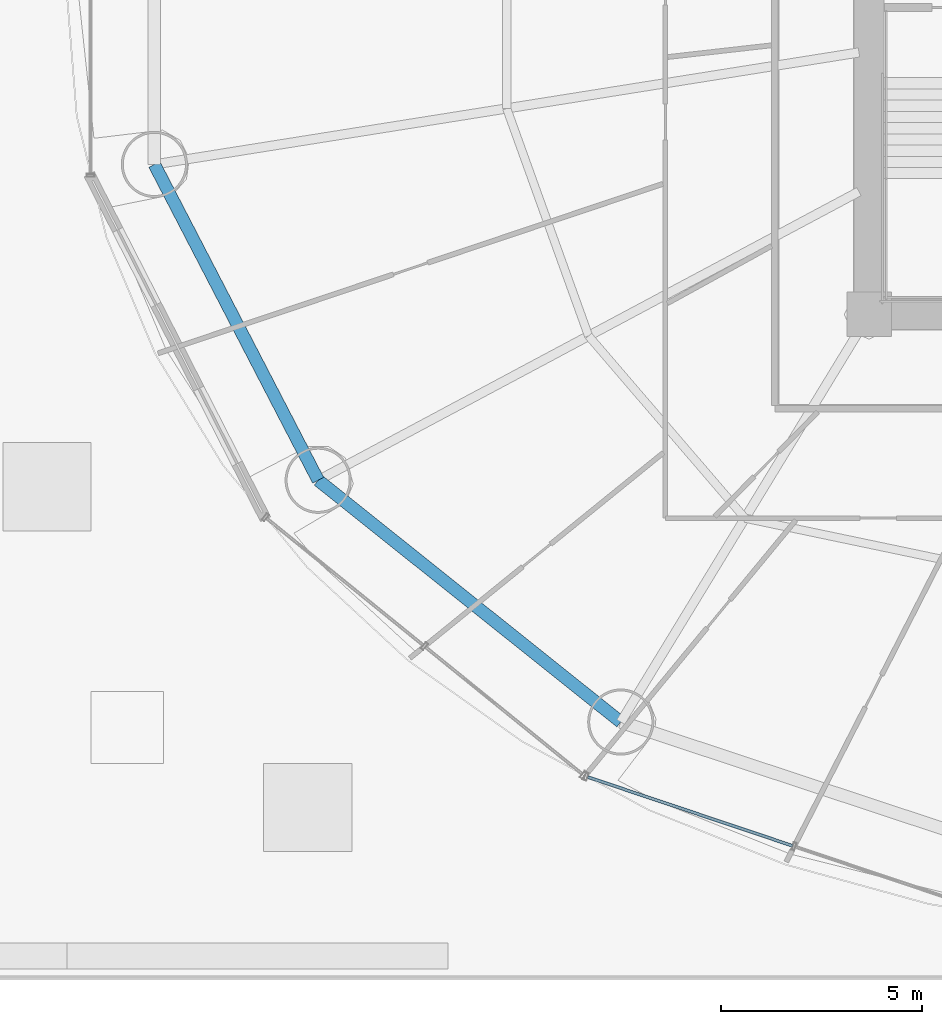
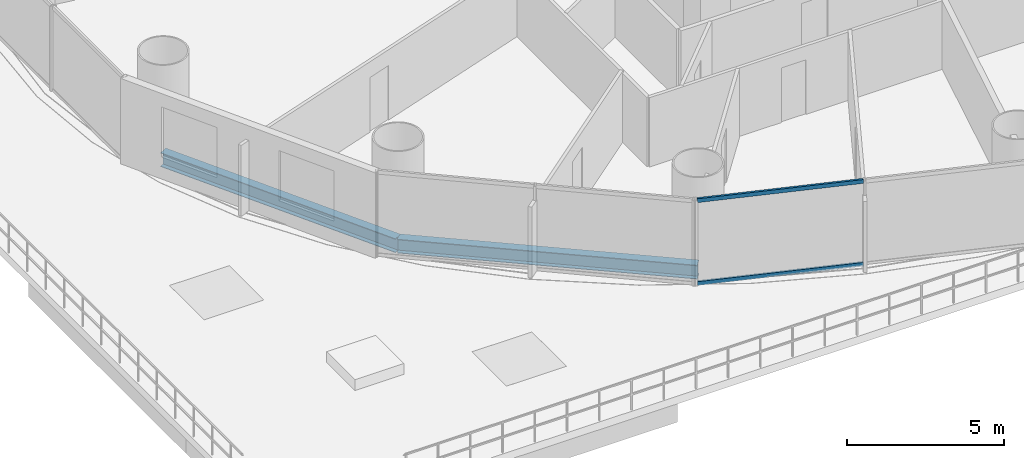
# One storey, part 4 of 37: 2 beams, 2 members, 1 element without a shape of its own.
"""IFC4 building model written with IfcOpenShell, lengths in metres."""

from ifc_helpers import new_model, si_unit, direction, frame, origin, origin_2d, place, context, subcontext, project, spatial, hollow_rectangle, i_section, extrude, source, transform, mapped, material, material_profile, profile_set, type_object, element, aggregate, save


model = new_model("IFC4")

# Units and contexts
model_context = context("Model", 3, precision=1e-05, world=origin(), true_north=direction((-0.2419218956, 0.970295726276)))
body_context = subcontext(model_context, "Body", "Model", "MODEL_VIEW")
ifc_project = project(units=[si_unit("LENGTHUNIT", "METRE"), si_unit("AREAUNIT", "SQUARE_METRE"), si_unit("VOLUMEUNIT", "CUBIC_METRE"), si_unit("PLANEANGLEUNIT", "RADIAN"), si_unit("MASSUNIT", "GRAM", prefix="KILO")], contexts=[model_context])

# Site, building, storey
site_placement = place(None, origin())
site = spatial("IfcSite", under=ifc_project, at=site_placement, CompositionType="ELEMENT")
building_placement = place(site_placement, origin())
building = spatial("IfcBuilding", under=site, at=building_placement, Name="Cobrevalo Terracotta Tower", CompositionType="ELEMENT")
storey_placement = place(building_placement, frame((0.0, 0.0, 24.0)))
storey = spatial("IfcBuildingStorey", under=building, at=storey_placement, Name="L05", CompositionType="ELEMENT", Elevation=24.0)

# Beams
ifc_material_1 = material(Name="Steel S355", Category="steel")
ifc_material_profile_1 = material_profile(ifc_material_1, i_section(OverallWidth=0.31201171875, OverallDepth=0.54296875, WebThickness=0.0126953125, FlangeThickness=0.020263671875, at=origin_2d()), Name="W 530x150")
ifc_profile_set_1 = profile_set([ifc_material_profile_1], Name="Steel S355")
beam_type = type_object("IfcBeamType", Name="Structural Spandrel W 530x150 (Steel S355)", PredefinedType="SPANDREL", material=ifc_profile_set_1)
beam_1_placement = place(storey_placement, frame((11.175537109375, 22.537353515625, -0.551513671875), z_axis=(0.460285838799, -0.88777077368, 0.0), x_axis=(0.88777077368, 0.460285838799, 0.0)))
element("IfcBeam", 1, at=beam_1_placement, inside=storey, type_object=beam_type, Name="L05 perimeter ring spandrel 09", PredefinedType="SPANDREL", context=body_context, shape_type="SweptSolid", body=[
    extrude(i_section(OverallWidth=0.31201171875, OverallDepth=0.54296875, WebThickness=0.0126953125, FlangeThickness=0.020263671875, at=origin_2d()), origin(), (0.0, 0.0, 1.0), 8.8720703125),
])
beam_2_placement = place(storey_placement, frame((15.25927734375, 14.660888671875, -0.551513671875), z_axis=(0.781280479891, -0.62418011162, 0.0), x_axis=(0.62418011162, 0.781280479891, 0.0)))
element("IfcBeam", 2, at=beam_2_placement, inside=storey, type_object=beam_type, Name="L05 perimeter ring spandrel 10", PredefinedType="SPANDREL", context=body_context, shape_type="SweptSolid", body=[
    extrude(i_section(OverallWidth=0.31201171875, OverallDepth=0.54296875, WebThickness=0.0126953125, FlangeThickness=0.020263671875, at=origin_2d()), origin(), (0.0, 0.0, 1.0), 9.658447265625),
])

# Curtain wall, members
ifc_material_2 = material(Name="Anodized aluminium", Category="aluminium")
curtain_wall_type = type_object("IfcCurtainWallType", Name="Lower-tower unitised acoustic low-E curtain wall CW-U1", PredefinedType="NOTDEFINED", material=ifc_material_2)
curtain_wall_placement = place(storey_placement, origin())
curtain_wall = element("IfcCurtainWall", 3, at=curtain_wall_placement, inside=storey, type_object=curtain_wall_type, Name="L05 curtain wall CW-L05-S11", PredefinedType="NOTDEFINED")
ifc_material_profile_2 = material_profile(ifc_material_2, hollow_rectangle(XDim=0.074951171875, YDim=0.14990234375, WallThickness=0.00439453125, at=origin_2d()), Name="CWT 75x150")
ifc_profile_set_2 = profile_set([ifc_material_profile_2], Name="Anodized aluminium")
member_type = type_object("IfcMemberType", Name="Tower unitised aluminium transom 75x150", PredefinedType="USERDEFINED", material=ifc_profile_set_2)
shared_shape = source(origin(), body_context, "Body", "SweptSolid", [
    extrude(hollow_rectangle(XDim=0.074951171875, YDim=0.14990234375, WallThickness=0.00439453125, at=origin_2d()), origin(), (0.0, 0.0, 1.0), 5.387939453125),
])
member_1_placement = place(storey_placement, frame((21.98095703125, 7.260009765625, 0.050048828125), z_axis=(0.94804244582, -0.318143868278, 0.0), x_axis=(0.318143868278, 0.94804244582, 0.0)))
member_1 = element("IfcMember", 4, at=member_1_placement, type_object=member_type, Name="CW-L05-S11 transom B01-T1", ObjectType="TRANSOM", PredefinedType="USERDEFINED", context=body_context, shape_type="MappedRepresentation", body=[
    mapped(shared_shape, transform((0.0, 0.0, 0.0), scale=1.0)),
])
member_2_placement = place(storey_placement, frame((21.98095703125, 7.260009765625, 3.27001953125), z_axis=(0.94804244582, -0.318143868278, 0.0), x_axis=(0.318143868278, 0.94804244582, 0.0)))
member_2 = element("IfcMember", 5, at=member_2_placement, type_object=member_type, Name="CW-L05-S11 transom B01-T2", ObjectType="TRANSOM", PredefinedType="USERDEFINED", context=body_context, shape_type="MappedRepresentation", body=[
    mapped(shared_shape, transform((0.0, 0.0, 0.0), scale=1.0)),
])
aggregate(curtain_wall, [member_1, member_2])

save(model, "model.ifc")
